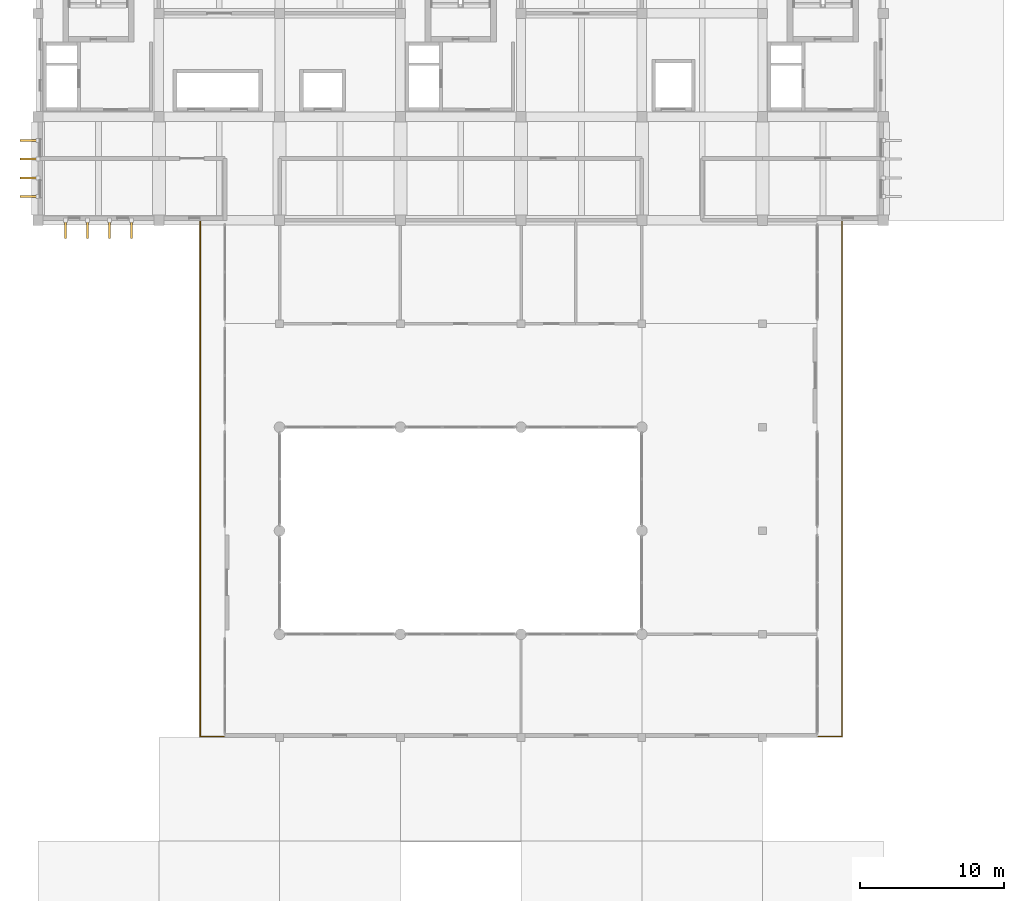
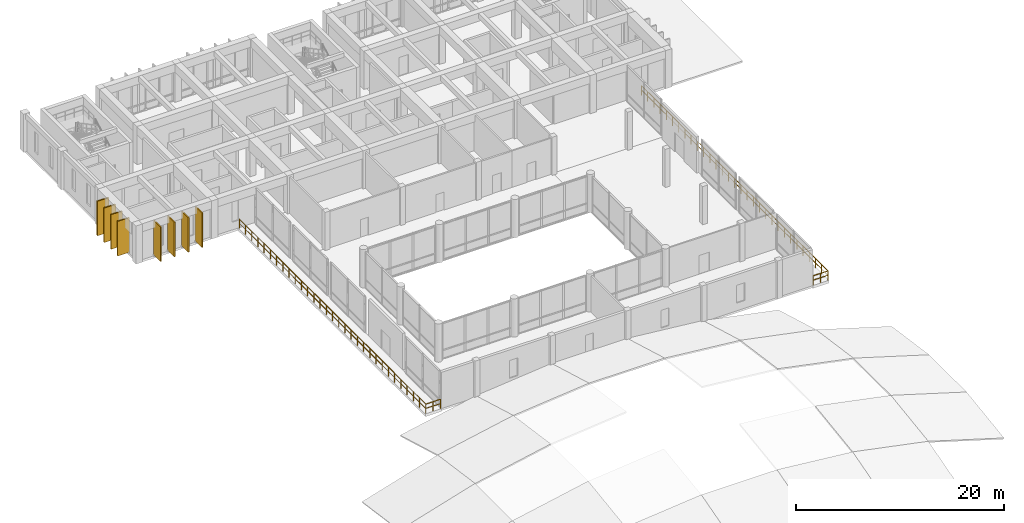
# One storey, part 15 of 17: 8 shading devices, 4 railings.
"""IFC4 building model written with IfcOpenShell, lengths in metres."""

from ifc_helpers import new_model, si_unit, direction, frame, origin, origin_2d, place, context, subcontext, project, spatial, rectangle, circle, extrude, material, type_object, element, save


model = new_model("IFC4")

# Units and contexts
model_context = context("Model", 3, precision=1e-05, world=origin(), true_north=direction((0.0, 1.0)))
body_context = subcontext(model_context, "Body", "Model", "MODEL_VIEW")
ifc_project = project(units=[si_unit("LENGTHUNIT", "METRE"), si_unit("AREAUNIT", "SQUARE_METRE"), si_unit("VOLUMEUNIT", "CUBIC_METRE"), si_unit("PLANEANGLEUNIT", "RADIAN"), si_unit("MASSUNIT", "GRAM", prefix="KILO")], contexts=[model_context])

# Site, building, storey
site_placement = place(None, origin())
site = spatial("IfcSite", under=ifc_project, at=site_placement, CompositionType="ELEMENT")
building_placement = place(site_placement, origin())
building = spatial("IfcBuilding", under=site, at=building_placement, Name="Kenerak Square Central Library", CompositionType="ELEMENT")
storey_placement = place(building_placement, frame((0.0, 0.0, 23.360107421875)))
storey = spatial("IfcBuildingStorey", under=building, at=storey_placement, Name="L05", CompositionType="ELEMENT", Elevation=23.360107421875)

# Shading devices
ifc_material_1 = material(Name="White precast concrete C40/50", Category="concrete")
shading_device_type = type_object("IfcShadingDeviceType", Name="Precast Vertical Solar Fin SF-1280 C40/50", PredefinedType="USERDEFINED", material=ifc_material_1)
for number, where, z_axis, x_axis, name in (
    (1, (64.909912109375, 88.179931640625, 0.10009765625), (0.0, 0.0, 1.0), (-1.0, 0.0, 0.0), "Precast Solar Fin FIN-01 L05 0407"),
    (2, (63.3701171875, 88.179931640625, 0.10009765625), (0.0, 0.0, 1.0), (-1.0, 0.0, 0.0), "Precast Solar Fin FIN-01 L05 0408"),
    (3, (61.830078125, 88.179931640625, 0.10009765625), (0.0, 0.0, 1.0), (-1.0, 0.0, 0.0), "Precast Solar Fin FIN-01 L05 0409"),
    (4, (60.2900390625, 88.179931640625, 0.10009765625), (0.0, 0.0, 1.0), (-1.0, 0.0, 0.0), "Precast Solar Fin FIN-01 L05 0410"),
    (5, (57.780029296875, 90.449951171875, 0.10009765625), (0.0, 0.0, 1.0), (0.0, 1.0, 0.0), "Precast Solar Fin FIN-01 L05 0411"),
    (6, (57.780029296875, 91.75, 0.10009765625), (0.0, 0.0, 1.0), (0.0, 1.0, 0.0), "Precast Solar Fin FIN-01 L05 0412"),
    (7, (57.780029296875, 93.050048828125, 0.10009765625), (0.0, 0.0, 1.0), (0.0, 1.0, 0.0), "Precast Solar Fin FIN-01 L05 0413"),
    (8, (57.780029296875, 94.35009765625, 0.10009765625), (0.0, 0.0, 1.0), (0.0, 1.0, 0.0), "Precast Solar Fin FIN-01 L05 0414"),
):
    element("IfcShadingDevice", number, at=place(storey_placement, frame(where, z_axis=z_axis, x_axis=x_axis)), inside=storey, type_object=shading_device_type, Name=name, ObjectType="FIN", PredefinedType="USERDEFINED", context=body_context, shape_type="SweptSolid", body=[
        extrude(rectangle(XDim=0.139892578125, YDim=1.280029296875, at=origin_2d()), origin(), (0.0, 0.0, 1.0), 4.054931640625),
    ])

# Railings
ifc_material_2 = material(Name="Steel S355", Category="steel")
railing_type = type_object("IfcRailingType", Name="Safety Guardrail GR-1100 S355", PredefinedType="GUARDRAIL", material=ifc_material_2)
railing_1_placement = place(storey_placement, frame((69.679931640625, 52.8798828125, 0.0)))
element("IfcRailing", 9, at=railing_1_placement, inside=storey, type_object=railing_type, Name="Upper West Reading Terrace L05 Guardrail W", PredefinedType="GUARDRAIL", context=body_context, shape_type="SweptSolid", body=[
    extrude(circle(Radius=0.02392578125, at=origin_2d()), frame((0.0, 0.0, 1.076171875), z_axis=(0.0, 1.0, 0.0), x_axis=(-1.0, 0.0, 0.0)), (0.0, 0.0, 1.0), 35.840087890625),
    extrude(circle(Radius=0.01806640625, at=origin_2d()), frame((0.0, 0.0, 0.572021484375), z_axis=(0.0, 1.0, 0.0), x_axis=(-1.0, 0.0, 0.0)), (0.0, 0.0, 1.0), 35.840087890625),
    extrude(circle(Radius=0.02099609375, at=origin_2d()), origin(), (0.0, 0.0, 1.0), 1.052001953125),
    extrude(circle(Radius=0.02099609375, at=origin_2d()), frame((0.0, 1.194580078125, 0.0)), (0.0, 0.0, 1.0), 1.052001953125),
    extrude(circle(Radius=0.02099609375, at=origin_2d()), frame((0.0, 2.389404296875, 0.0)), (0.0, 0.0, 1.0), 1.052001953125),
    extrude(circle(Radius=0.02099609375, at=origin_2d()), frame((0.0, 3.583984375, 0.0)), (0.0, 0.0, 1.0), 1.052001953125),
    extrude(circle(Radius=0.02099609375, at=origin_2d()), frame((0.0, 4.778564453125, 0.0)), (0.0, 0.0, 1.0), 1.052001953125),
    extrude(circle(Radius=0.02099609375, at=origin_2d()), frame((0.0, 5.973388671875, 0.0)), (0.0, 0.0, 1.0), 1.052001953125),
    extrude(circle(Radius=0.02099609375, at=origin_2d()), frame((0.0, 7.16796875, 0.0)), (0.0, 0.0, 1.0), 1.052001953125),
    extrude(circle(Radius=0.02099609375, at=origin_2d()), frame((0.0, 8.36279296875, 0.0)), (0.0, 0.0, 1.0), 1.052001953125),
    extrude(circle(Radius=0.02099609375, at=origin_2d()), frame((0.0, 9.557373046875, 0.0)), (0.0, 0.0, 1.0), 1.052001953125),
    extrude(circle(Radius=0.02099609375, at=origin_2d()), frame((0.0, 10.751953125, 0.0)), (0.0, 0.0, 1.0), 1.052001953125),
    extrude(circle(Radius=0.02099609375, at=origin_2d()), frame((0.0, 11.94677734375, 0.0)), (0.0, 0.0, 1.0), 1.052001953125),
    extrude(circle(Radius=0.02099609375, at=origin_2d()), frame((0.0, 13.141357421875, 0.0)), (0.0, 0.0, 1.0), 1.052001953125),
    extrude(circle(Radius=0.02099609375, at=origin_2d()), frame((0.0, 14.3359375, 0.0)), (0.0, 0.0, 1.0), 1.052001953125),
    extrude(circle(Radius=0.02099609375, at=origin_2d()), frame((0.0, 15.53076171875, 0.0)), (0.0, 0.0, 1.0), 1.052001953125),
    extrude(circle(Radius=0.02099609375, at=origin_2d()), frame((0.0, 16.725341796875, 0.0)), (0.0, 0.0, 1.0), 1.052001953125),
    extrude(circle(Radius=0.02099609375, at=origin_2d()), frame((0.0, 17.919921875, 0.0)), (0.0, 0.0, 1.0), 1.052001953125),
    extrude(circle(Radius=0.02099609375, at=origin_2d()), frame((0.0, 19.11474609375, 0.0)), (0.0, 0.0, 1.0), 1.052001953125),
    extrude(circle(Radius=0.02099609375, at=origin_2d()), frame((0.0, 20.309326171875, 0.0)), (0.0, 0.0, 1.0), 1.052001953125),
    extrude(circle(Radius=0.02099609375, at=origin_2d()), frame((0.0, 21.504150390625, 0.0)), (0.0, 0.0, 1.0), 1.052001953125),
    extrude(circle(Radius=0.02099609375, at=origin_2d()), frame((0.0, 22.69873046875, 0.0)), (0.0, 0.0, 1.0), 1.052001953125),
    extrude(circle(Radius=0.02099609375, at=origin_2d()), frame((0.0, 23.893310546875, 0.0)), (0.0, 0.0, 1.0), 1.052001953125),
    extrude(circle(Radius=0.02099609375, at=origin_2d()), frame((0.0, 25.088134765625, 0.0)), (0.0, 0.0, 1.0), 1.052001953125),
    extrude(circle(Radius=0.02099609375, at=origin_2d()), frame((0.0, 26.28271484375, 0.0)), (0.0, 0.0, 1.0), 1.052001953125),
    extrude(circle(Radius=0.02099609375, at=origin_2d()), frame((0.0, 27.477294921875, 0.0)), (0.0, 0.0, 1.0), 1.052001953125),
    extrude(circle(Radius=0.02099609375, at=origin_2d()), frame((0.0, 28.672119140625, 0.0)), (0.0, 0.0, 1.0), 1.052001953125),
    extrude(circle(Radius=0.02099609375, at=origin_2d()), frame((0.0, 29.86669921875, 0.0)), (0.0, 0.0, 1.0), 1.052001953125),
    extrude(circle(Radius=0.02099609375, at=origin_2d()), frame((0.0, 31.0615234375, 0.0)), (0.0, 0.0, 1.0), 1.052001953125),
    extrude(circle(Radius=0.02099609375, at=origin_2d()), frame((0.0, 32.256103515625, 0.0)), (0.0, 0.0, 1.0), 1.052001953125),
    extrude(circle(Radius=0.02099609375, at=origin_2d()), frame((0.0, 33.45068359375, 0.0)), (0.0, 0.0, 1.0), 1.052001953125),
    extrude(circle(Radius=0.02099609375, at=origin_2d()), frame((0.0, 34.6455078125, 0.0)), (0.0, 0.0, 1.0), 1.052001953125),
    extrude(circle(Radius=0.02099609375, at=origin_2d()), frame((0.0, 35.840087890625, 0.0)), (0.0, 0.0, 1.0), 1.052001953125),
])
railing_2_placement = place(storey_placement, frame((69.679931640625, 52.8798828125, 0.0)))
element("IfcRailing", 10, at=railing_2_placement, inside=storey, type_object=railing_type, Name="Upper West Reading Terrace L05 Guardrail S", PredefinedType="GUARDRAIL", context=body_context, shape_type="SweptSolid", body=[
    extrude(circle(Radius=0.02392578125, at=origin_2d()), frame((0.0, 0.0, 1.076171875), z_axis=(1.0, 0.0, 0.0), x_axis=(0.0, 1.0, 0.0)), (0.0, 0.0, 1.0), 1.64013671875),
    extrude(circle(Radius=0.01806640625, at=origin_2d()), frame((0.0, 0.0, 0.572021484375), z_axis=(1.0, 0.0, 0.0), x_axis=(0.0, 1.0, 0.0)), (0.0, 0.0, 1.0), 1.64013671875),
    extrude(circle(Radius=0.02099609375, at=origin_2d()), origin(), (0.0, 0.0, 1.0), 1.052001953125),
    extrude(circle(Radius=0.02099609375, at=origin_2d()), frame((0.820068359375, 0.0, 0.0)), (0.0, 0.0, 1.0), 1.052001953125),
    extrude(circle(Radius=0.02099609375, at=origin_2d()), frame((1.64013671875, 0.0, 0.0)), (0.0, 0.0, 1.0), 1.052001953125),
])
railing_3_placement = place(storey_placement, frame((114.320068359375, 52.8798828125, 0.0)))
element("IfcRailing", 11, at=railing_3_placement, inside=storey, type_object=railing_type, Name="Upper East Reading Terrace L05 Guardrail E", PredefinedType="GUARDRAIL", context=body_context, shape_type="SweptSolid", body=[
    extrude(circle(Radius=0.02392578125, at=origin_2d()), frame((0.0, 0.0, 1.076171875), z_axis=(0.0, 1.0, 0.0), x_axis=(-1.0, 0.0, 0.0)), (0.0, 0.0, 1.0), 35.840087890625),
    extrude(circle(Radius=0.01806640625, at=origin_2d()), frame((0.0, 0.0, 0.572021484375), z_axis=(0.0, 1.0, 0.0), x_axis=(-1.0, 0.0, 0.0)), (0.0, 0.0, 1.0), 35.840087890625),
    extrude(circle(Radius=0.02099609375, at=origin_2d()), origin(), (0.0, 0.0, 1.0), 1.052001953125),
    extrude(circle(Radius=0.02099609375, at=origin_2d()), frame((0.0, 1.194580078125, 0.0)), (0.0, 0.0, 1.0), 1.052001953125),
    extrude(circle(Radius=0.02099609375, at=origin_2d()), frame((0.0, 2.389404296875, 0.0)), (0.0, 0.0, 1.0), 1.052001953125),
    extrude(circle(Radius=0.02099609375, at=origin_2d()), frame((0.0, 3.583984375, 0.0)), (0.0, 0.0, 1.0), 1.052001953125),
    extrude(circle(Radius=0.02099609375, at=origin_2d()), frame((0.0, 4.778564453125, 0.0)), (0.0, 0.0, 1.0), 1.052001953125),
    extrude(circle(Radius=0.02099609375, at=origin_2d()), frame((0.0, 5.973388671875, 0.0)), (0.0, 0.0, 1.0), 1.052001953125),
    extrude(circle(Radius=0.02099609375, at=origin_2d()), frame((0.0, 7.16796875, 0.0)), (0.0, 0.0, 1.0), 1.052001953125),
    extrude(circle(Radius=0.02099609375, at=origin_2d()), frame((0.0, 8.36279296875, 0.0)), (0.0, 0.0, 1.0), 1.052001953125),
    extrude(circle(Radius=0.02099609375, at=origin_2d()), frame((0.0, 9.557373046875, 0.0)), (0.0, 0.0, 1.0), 1.052001953125),
    extrude(circle(Radius=0.02099609375, at=origin_2d()), frame((0.0, 10.751953125, 0.0)), (0.0, 0.0, 1.0), 1.052001953125),
    extrude(circle(Radius=0.02099609375, at=origin_2d()), frame((0.0, 11.94677734375, 0.0)), (0.0, 0.0, 1.0), 1.052001953125),
    extrude(circle(Radius=0.02099609375, at=origin_2d()), frame((0.0, 13.141357421875, 0.0)), (0.0, 0.0, 1.0), 1.052001953125),
    extrude(circle(Radius=0.02099609375, at=origin_2d()), frame((0.0, 14.3359375, 0.0)), (0.0, 0.0, 1.0), 1.052001953125),
    extrude(circle(Radius=0.02099609375, at=origin_2d()), frame((0.0, 15.53076171875, 0.0)), (0.0, 0.0, 1.0), 1.052001953125),
    extrude(circle(Radius=0.02099609375, at=origin_2d()), frame((0.0, 16.725341796875, 0.0)), (0.0, 0.0, 1.0), 1.052001953125),
    extrude(circle(Radius=0.02099609375, at=origin_2d()), frame((0.0, 17.919921875, 0.0)), (0.0, 0.0, 1.0), 1.052001953125),
    extrude(circle(Radius=0.02099609375, at=origin_2d()), frame((0.0, 19.11474609375, 0.0)), (0.0, 0.0, 1.0), 1.052001953125),
    extrude(circle(Radius=0.02099609375, at=origin_2d()), frame((0.0, 20.309326171875, 0.0)), (0.0, 0.0, 1.0), 1.052001953125),
    extrude(circle(Radius=0.02099609375, at=origin_2d()), frame((0.0, 21.504150390625, 0.0)), (0.0, 0.0, 1.0), 1.052001953125),
    extrude(circle(Radius=0.02099609375, at=origin_2d()), frame((0.0, 22.69873046875, 0.0)), (0.0, 0.0, 1.0), 1.052001953125),
    extrude(circle(Radius=0.02099609375, at=origin_2d()), frame((0.0, 23.893310546875, 0.0)), (0.0, 0.0, 1.0), 1.052001953125),
    extrude(circle(Radius=0.02099609375, at=origin_2d()), frame((0.0, 25.088134765625, 0.0)), (0.0, 0.0, 1.0), 1.052001953125),
    extrude(circle(Radius=0.02099609375, at=origin_2d()), frame((0.0, 26.28271484375, 0.0)), (0.0, 0.0, 1.0), 1.052001953125),
    extrude(circle(Radius=0.02099609375, at=origin_2d()), frame((0.0, 27.477294921875, 0.0)), (0.0, 0.0, 1.0), 1.052001953125),
    extrude(circle(Radius=0.02099609375, at=origin_2d()), frame((0.0, 28.672119140625, 0.0)), (0.0, 0.0, 1.0), 1.052001953125),
    extrude(circle(Radius=0.02099609375, at=origin_2d()), frame((0.0, 29.86669921875, 0.0)), (0.0, 0.0, 1.0), 1.052001953125),
    extrude(circle(Radius=0.02099609375, at=origin_2d()), frame((0.0, 31.0615234375, 0.0)), (0.0, 0.0, 1.0), 1.052001953125),
    extrude(circle(Radius=0.02099609375, at=origin_2d()), frame((0.0, 32.256103515625, 0.0)), (0.0, 0.0, 1.0), 1.052001953125),
    extrude(circle(Radius=0.02099609375, at=origin_2d()), frame((0.0, 33.45068359375, 0.0)), (0.0, 0.0, 1.0), 1.052001953125),
    extrude(circle(Radius=0.02099609375, at=origin_2d()), frame((0.0, 34.6455078125, 0.0)), (0.0, 0.0, 1.0), 1.052001953125),
    extrude(circle(Radius=0.02099609375, at=origin_2d()), frame((0.0, 35.840087890625, 0.0)), (0.0, 0.0, 1.0), 1.052001953125),
])
railing_4_placement = place(storey_placement, frame((112.679931640625, 52.8798828125, 0.0)))
element("IfcRailing", 12, at=railing_4_placement, inside=storey, type_object=railing_type, Name="Upper East Reading Terrace L05 Guardrail S", PredefinedType="GUARDRAIL", context=body_context, shape_type="SweptSolid", body=[
    extrude(circle(Radius=0.02392578125, at=origin_2d()), frame((0.0, 0.0, 1.076171875), z_axis=(1.0, 0.0, 0.0), x_axis=(0.0, 1.0, 0.0)), (0.0, 0.0, 1.0), 1.64013671875),
    extrude(circle(Radius=0.01806640625, at=origin_2d()), frame((0.0, 0.0, 0.572021484375), z_axis=(1.0, 0.0, 0.0), x_axis=(0.0, 1.0, 0.0)), (0.0, 0.0, 1.0), 1.64013671875),
    extrude(circle(Radius=0.02099609375, at=origin_2d()), origin(), (0.0, 0.0, 1.0), 1.052001953125),
    extrude(circle(Radius=0.02099609375, at=origin_2d()), frame((0.820068359375, 0.0, 0.0)), (0.0, 0.0, 1.0), 1.052001953125),
    extrude(circle(Radius=0.02099609375, at=origin_2d()), frame((1.64013671875, 0.0, 0.0)), (0.0, 0.0, 1.0), 1.052001953125),
])

save(model, "model.ifc")
